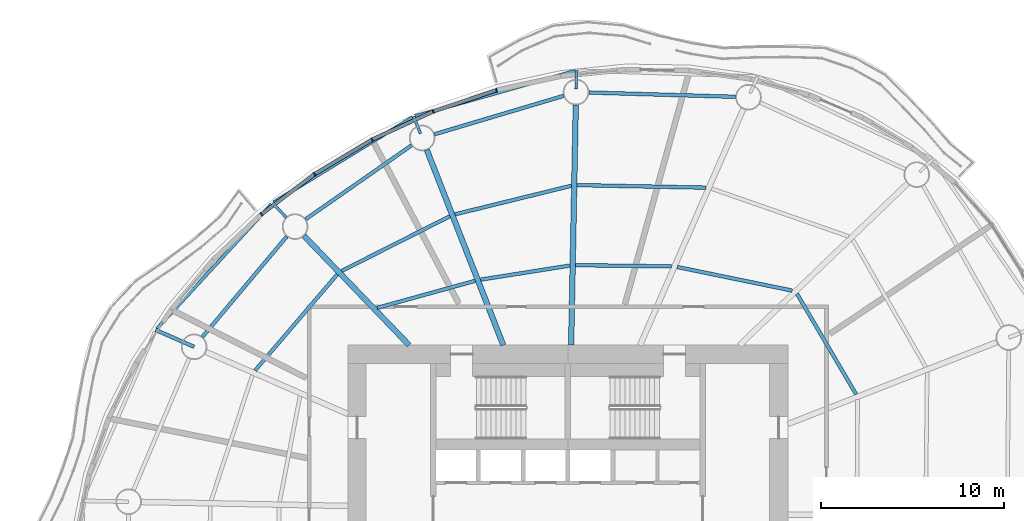
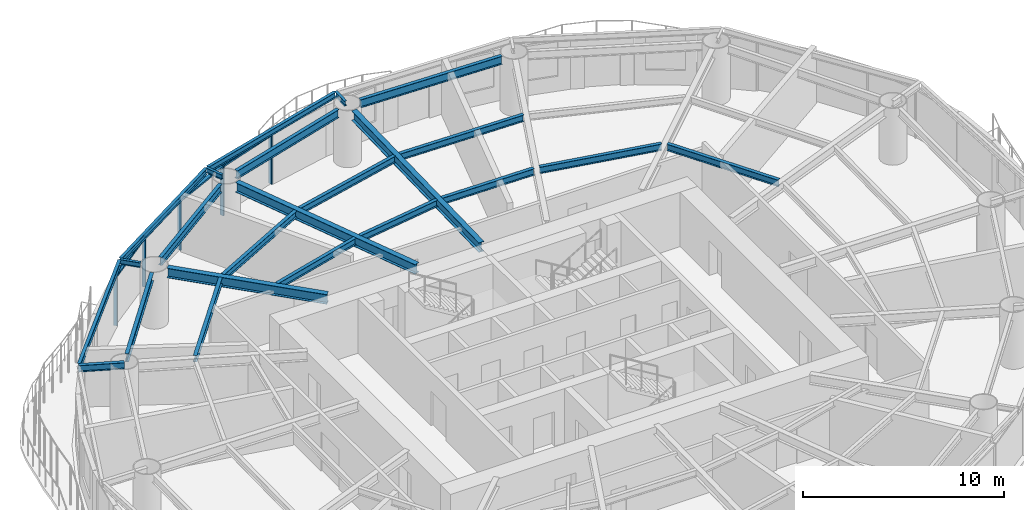
# One storey, part 5 of 16: 23 beams, 9 members, 4 elements without a shape of their own.
"""IFC4 building model written with IfcOpenShell, lengths in metres."""

from ifc_helpers import new_model, si_unit, direction, frame, origin, origin_2d, place, context, subcontext, project, spatial, rectangle, i_section, extrude, material, material_profile, profile_set, type_object, element, aggregate, save


model = new_model("IFC4")

# Units and contexts
model_context = context("Model", 3, precision=1e-05, world=origin(), true_north=direction((0.0, 1.0)))
body_context = subcontext(model_context, "Body", "Model", "MODEL_VIEW")
ifc_project = project(units=[si_unit("LENGTHUNIT", "METRE"), si_unit("AREAUNIT", "SQUARE_METRE"), si_unit("VOLUMEUNIT", "CUBIC_METRE"), si_unit("PLANEANGLEUNIT", "RADIAN"), si_unit("MASSUNIT", "GRAM", prefix="KILO")], contexts=[model_context])

# Site, building, storey
site_placement = place(None, origin())
site = spatial("IfcSite", under=ifc_project, at=site_placement, CompositionType="ELEMENT")
building_placement = place(site_placement, origin())
building = spatial("IfcBuilding", under=site, at=building_placement, Name="Vermilion Reach Broadcast Tower", CompositionType="ELEMENT")
storey_placement = place(building_placement, frame((0.0, 0.0, 147.0)))
storey = spatial("IfcBuildingStorey", under=building, at=storey_placement, Name="L34", CompositionType="ELEMENT", Elevation=147.0)

# Beams
ifc_material_1 = material(Name="Steel S355J2", Category="steel")
ifc_material_profile_1 = material_profile(ifc_material_1, i_section(OverallWidth=0.175048828125, OverallDepth=0.35009765625, WebThickness=0.007080078125, FlangeThickness=0.010986328125, at=origin_2d()), Name="S355J2 HN 350x175x7x11")
ifc_profile_set_1 = profile_set([ifc_material_profile_1], Name="Steel S355J2")
beam_type_1 = type_object("IfcBeamType", Name="EB3 HN 350x175x7x11", PredefinedType="BEAM", material=ifc_profile_set_1)
beam_1_placement = place(storey_placement, frame((-5.61083984375, 23.958984375, 3.27490234375), z_axis=(-0.962287191638, -0.272035587397, 0.0), x_axis=(0.272035587397, -0.962287191638, 0.0)))
element("IfcBeam", 1, at=beam_1_placement, inside=storey, type_object=beam_type_1, Name="Edge beam EB3-03", PredefinedType="BEAM", context=body_context, shape_type="SweptSolid", body=[
    extrude(i_section(OverallWidth=0.175048828125, OverallDepth=0.35009765625, WebThickness=0.007080078125, FlangeThickness=0.010986328125, at=origin_2d()), origin(), (0.0, 0.0, 1.0), 9.06884765625),
])
beam_2_placement = place(storey_placement, frame((-14.47509765625, 21.431640625, 3.27490234375), z_axis=(-0.852668400848, -0.522452484151, 0.0), x_axis=(0.522452484151, -0.852668400848, 0.0)))
element("IfcBeam", 2, at=beam_2_placement, inside=storey, type_object=beam_type_1, Name="Edge beam EB3-04", PredefinedType="BEAM", context=body_context, shape_type="SweptSolid", body=[
    extrude(i_section(OverallWidth=0.175048828125, OverallDepth=0.35009765625, WebThickness=0.007080078125, FlangeThickness=0.010986328125, at=origin_2d()), origin(), (0.0, 0.0, 1.0), 8.88232421875),
])
beam_3_placement = place(storey_placement, frame((-22.1650390625, 16.69580078125, 3.27490234375), z_axis=(-0.677183765071, -0.73581393594, 0.0), x_axis=(0.73581393594, -0.677183765071, 0.0)))
element("IfcBeam", 3, at=beam_3_placement, inside=storey, type_object=beam_type_1, Name="Edge beam EB3-05", PredefinedType="BEAM", context=body_context, shape_type="SweptSolid", body=[
    extrude(i_section(OverallWidth=0.175048828125, OverallDepth=0.35009765625, WebThickness=0.007080078125, FlangeThickness=0.010986328125, at=origin_2d()), origin(), (0.0, 0.0, 1.0), 9.2275390625),
])
ifc_material_2 = material(Name="Steel S355J2", Category="steel")
ifc_material_profile_2 = material_profile(ifc_material_2, i_section(OverallWidth=0.300048828125, OverallDepth=0.587890625, WebThickness=0.011962890625, FlangeThickness=0.02001953125, at=origin_2d()), Name="S355J2 HM 588x300x12x20")
ifc_profile_set_2 = profile_set([ifc_material_profile_2], Name="Steel S355J2")
beam_type_2 = type_object("IfcBeamType", Name="G3 HM 588x300x12x20", PredefinedType="BEAM", material=ifc_profile_set_2)
beam_4_placement = place(storey_placement, frame((-5.82568359375, 9.0, 3.156005859375), z_axis=(0.019378372481, 0.99981222171, 0.0), x_axis=(-0.99981222171, 0.019378372481, 0.0)))
element("IfcBeam", 4, at=beam_4_placement, inside=storey, type_object=beam_type_2, Name="Girder G3-03", PredefinedType="BEAM", context=body_context, shape_type="SweptSolid", body=[
    extrude(i_section(OverallWidth=0.300048828125, OverallDepth=0.587890625, WebThickness=0.011962890625, FlangeThickness=0.02001953125, at=origin_2d()), origin(), (0.0, 0.0, 1.0), 13.1025390625),
])
beam_5_placement = place(storey_placement, frame((-9.525146484375, 9.0, 3.156005859375), z_axis=(-0.364715649973, 0.931118947646, 0.0), x_axis=(-0.931118947646, -0.364715649973, 0.0)))
element("IfcBeam", 5, at=beam_5_placement, inside=storey, type_object=beam_type_2, Name="Girder G3-04", PredefinedType="BEAM", context=body_context, shape_type="SweptSolid", body=[
    extrude(i_section(OverallWidth=0.300048828125, OverallDepth=0.587890625, WebThickness=0.011962890625, FlangeThickness=0.02001953125, at=origin_2d()), origin(), (0.0, 0.0, 1.0), 11.436767578125),
])
beam_6_placement = place(storey_placement, frame((-14.657958984375, 9.0, 3.156005859375), z_axis=(-0.693282657492, 0.72066577331, 0.0), x_axis=(-0.72066577331, -0.693282657492, 0.0)))
element("IfcBeam", 6, at=beam_6_placement, inside=storey, type_object=beam_type_2, Name="Girder G3-05", PredefinedType="BEAM", context=body_context, shape_type="SweptSolid", body=[
    extrude(i_section(OverallWidth=0.300048828125, OverallDepth=0.587890625, WebThickness=0.011962890625, FlangeThickness=0.02001953125, at=origin_2d()), origin(), (0.0, 0.0, 1.0), 8.273681640625),
])
ifc_material_3 = material(Name="Steel S355J2", Category="steel")
ifc_material_profile_3 = material_profile(ifc_material_3, i_section(OverallWidth=0.199951171875, OverallDepth=0.39990234375, WebThickness=0.008056640625, FlangeThickness=0.012939453125, at=origin_2d()), Name="S355J2 HN 400x200x8x13")
ifc_profile_set_3 = profile_set([ifc_material_profile_3], Name="Steel S355J2")
beam_type_3 = type_object("IfcBeamType", Name="GC3 HN 400x200x8x13", PredefinedType="BEAM", material=ifc_profile_set_3)
beam_7_placement = place(storey_placement, frame((-26.38818359375, 8.91162109375, 3.25), z_axis=(-0.916279698293, 0.400539029929, 0.0), x_axis=(-0.400539029929, -0.916279698293, 0.0)))
element("IfcBeam", 7, at=beam_7_placement, inside=storey, type_object=beam_type_3, Name="Cantilever girder GC3-06", PredefinedType="BEAM", context=body_context, shape_type="SweptSolid", body=[
    extrude(i_section(OverallWidth=0.199951171875, OverallDepth=0.39990234375, WebThickness=0.008056640625, FlangeThickness=0.012939453125, at=origin_2d()), origin(), (0.0, 0.0, 1.0), 2.288818359375),
])
ifc_material_4 = material(Name="Steel S355J2", Category="steel")
ifc_material_profile_4 = material_profile(ifc_material_4, i_section(OverallWidth=0.14990234375, OverallDepth=0.300048828125, WebThickness=0.006591796875, FlangeThickness=0.009033203125, at=origin_2d()), Name="S355J2 HN 300x150x6.5x9")
ifc_profile_set_4 = profile_set([ifc_material_profile_4], Name="Steel S355J2")
beam_type_4 = type_object("IfcBeamType", Name="GS3 HN 300x150x6.5x9", PredefinedType="BEAM", material=ifc_profile_set_4)
beam_8_placement = place(storey_placement, frame((-5.5546875, 22.98046875, 3.300048828125), z_axis=(0.019283523045, 0.999814055582, 0.0), x_axis=(-0.999814055582, 0.019283523045, 0.0)))
element("IfcBeam", 8, at=beam_8_placement, inside=storey, type_object=beam_type_4, Name="Cantilever stub GS3-03", PredefinedType="BEAM", context=body_context, shape_type="SweptSolid", body=[
    extrude(i_section(OverallWidth=0.14990234375, OverallDepth=0.300048828125, WebThickness=0.006591796875, FlangeThickness=0.009033203125, at=origin_2d()), origin(), (0.0, 0.0, 1.0), 1.000244140625),
])
beam_9_placement = place(storey_placement, frame((-14.045654296875, 20.540283203125, 3.300048828125), z_axis=(-0.364519020104, 0.931195942851, 0.0), x_axis=(-0.931195942851, -0.364519020104, 0.0)))
element("IfcBeam", 9, at=beam_9_placement, inside=storey, type_object=beam_type_4, Name="Cantilever stub GS3-04", PredefinedType="BEAM", context=body_context, shape_type="SweptSolid", body=[
    extrude(i_section(OverallWidth=0.14990234375, OverallDepth=0.300048828125, WebThickness=0.006591796875, FlangeThickness=0.009033203125, at=origin_2d()), origin(), (0.0, 0.0, 1.0), 1.0),
])
beam_10_placement = place(storey_placement, frame((-21.364501953125, 15.9716796875, 3.300048828125), z_axis=(-0.693316229254, 0.720633475668, 0.0), x_axis=(-0.720633475668, -0.693316229254, 0.0)))
element("IfcBeam", 10, at=beam_10_placement, inside=storey, type_object=beam_type_4, Name="Cantilever stub GS3-05", PredefinedType="BEAM", context=body_context, shape_type="SweptSolid", body=[
    extrude(i_section(OverallWidth=0.14990234375, OverallDepth=0.300048828125, WebThickness=0.006591796875, FlangeThickness=0.009033203125, at=origin_2d()), origin(), (0.0, 0.0, 1.0), 1.081298828125),
])
ifc_material_5 = material(Name="Steel S355J2", Category="steel")
ifc_material_profile_5 = material_profile(ifc_material_5, i_section(OverallWidth=0.199951171875, OverallDepth=0.5, WebThickness=0.010009765625, FlangeThickness=0.01611328125, at=origin_2d()), Name="S355J2 HN 500x200x10x16")
ifc_profile_set_5 = profile_set([ifc_material_profile_5], Name="Steel S355J2")
beam_type_5 = type_object("IfcBeamType", Name="RB3 HN 500x200x10x16", PredefinedType="BEAM", material=ifc_profile_set_5)
beam_11_placement = place(storey_placement, frame((3.1455078125, 22.544677734375, 3.199951171875), z_axis=(-0.999569781146, 0.029330063427, 0.0), x_axis=(-0.029330063427, -0.999569781146, 0.0)))
element("IfcBeam", 11, at=beam_11_placement, inside=storey, type_object=beam_type_5, Name="Ring beam RB3-02", PredefinedType="BEAM", context=body_context, shape_type="SweptSolid", body=[
    extrude(i_section(OverallWidth=0.199951171875, OverallDepth=0.5, WebThickness=0.010009765625, FlangeThickness=0.01611328125, at=origin_2d()), origin(), (0.0, 0.0, 1.0), 8.007568359375),
])
beam_12_placement = place(storey_placement, frame((-6.229248046875, 22.60009765625, 3.199951171875), z_axis=(-0.958416970322, -0.285371531516, 0.0), x_axis=(0.285371531516, -0.958416970322, 0.0)))
element("IfcBeam", 12, at=beam_12_placement, inside=storey, type_object=beam_type_5, Name="Ring beam RB3-03", PredefinedType="BEAM", context=body_context, shape_type="SweptSolid", body=[
    extrude(i_section(OverallWidth=0.199951171875, OverallDepth=0.5, WebThickness=0.010009765625, FlangeThickness=0.01611328125, at=origin_2d()), origin(), (0.0, 0.0, 1.0), 7.357421875),
])
beam_13_placement = place(storey_placement, frame((-14.525634765625, 19.900146484375, 3.199951171875), z_axis=(-0.820111453349, -0.572203813415, 0.0), x_axis=(0.572203813415, -0.820111453349, 0.0)))
element("IfcBeam", 13, at=beam_13_placement, inside=storey, type_object=beam_type_5, Name="Ring beam RB3-04", PredefinedType="BEAM", context=body_context, shape_type="SweptSolid", body=[
    extrude(i_section(OverallWidth=0.199951171875, OverallDepth=0.5, WebThickness=0.010009765625, FlangeThickness=0.01611328125, at=origin_2d()), origin(), (0.0, 0.0, 1.0), 7.04736328125),
])
beam_14_placement = place(storey_placement, frame((-21.32958984375, 14.931396484375, 3.199951171875), z_axis=(-0.643350337931, -0.765571905626, 0.0), x_axis=(0.765571905626, -0.643350337931, 0.0)))
element("IfcBeam", 14, at=beam_14_placement, inside=storey, type_object=beam_type_5, Name="Ring beam RB3-05", PredefinedType="BEAM", context=body_context, shape_type="SweptSolid", body=[
    extrude(i_section(OverallWidth=0.199951171875, OverallDepth=0.5, WebThickness=0.010009765625, FlangeThickness=0.01611328125, at=origin_2d()), origin(), (0.0, 0.0, 1.0), 7.1630859375),
])
ifc_material_6 = material(Name="Steel S355J2", Category="steel")
ifc_material_profile_6 = material_profile(ifc_material_6, i_section(OverallWidth=0.199951171875, OverallDepth=0.39990234375, WebThickness=0.008056640625, FlangeThickness=0.012939453125, at=origin_2d()), Name="S355J2 HN 400x200x8x13")
ifc_profile_set_6 = profile_set([ifc_material_profile_6], Name="Steel S355J2")
beam_type_6 = type_object("IfcBeamType", Name="SB3 HN 400x200x8x13", PredefinedType="BEAM", material=ifc_profile_set_6)
beam_15_placement = place(storey_placement, frame((6.232666015625, 11.975830078125, 3.25), z_axis=(-0.97956765607, 0.201114910391, 0.0), x_axis=(-0.201114910391, -0.97956765607, 0.0)))
element("IfcBeam", 15, at=beam_15_placement, inside=storey, type_object=beam_type_6, Name="Secondary beam SB3-01-1", PredefinedType="BEAM", context=body_context, shape_type="SweptSolid", body=[
    extrude(i_section(OverallWidth=0.199951171875, OverallDepth=0.39990234375, WebThickness=0.008056640625, FlangeThickness=0.012939453125, at=origin_2d()), origin(), (0.0, 0.0, 1.0), 6.40234375),
])
beam_16_placement = place(storey_placement, frame((-0.351806640625, 13.29638671875, 3.25), z_axis=(-0.999914891843, 0.013046419838, 0.0), x_axis=(-0.013046419838, -0.999914891843, 0.0)))
element("IfcBeam", 16, at=beam_16_placement, inside=storey, type_object=beam_type_6, Name="Secondary beam SB3-02-1", PredefinedType="BEAM", context=body_context, shape_type="SweptSolid", body=[
    extrude(i_section(OverallWidth=0.199951171875, OverallDepth=0.39990234375, WebThickness=0.008056640625, FlangeThickness=0.012939453125, at=origin_2d()), origin(), (0.0, 0.0, 1.0), 5.23974609375),
])
beam_17_placement = place(storey_placement, frame((1.525634765625, 17.591552734375, 3.25), z_axis=(-0.999804929321, 0.019751033045, 0.0), x_axis=(-0.019751033045, -0.999804929321, 0.0)))
element("IfcBeam", 17, at=beam_17_placement, inside=storey, type_object=beam_type_6, Name="Secondary beam SB3-02-2", PredefinedType="BEAM", context=body_context, shape_type="SweptSolid", body=[
    extrude(i_section(OverallWidth=0.199951171875, OverallDepth=0.39990234375, WebThickness=0.008056640625, FlangeThickness=0.012939453125, at=origin_2d()), origin(), (0.0, 0.0, 1.0), 7.033447265625),
])
beam_18_placement = place(storey_placement, frame((-5.8916015625, 13.343017578125, 3.25), z_axis=(-0.987756142208, -0.15600578044, 0.0), x_axis=(0.15600578044, -0.987756142208, 0.0)))
element("IfcBeam", 18, at=beam_18_placement, inside=storey, type_object=beam_type_6, Name="Secondary beam SB3-03-1", PredefinedType="BEAM", context=body_context, shape_type="SweptSolid", body=[
    extrude(i_section(OverallWidth=0.199951171875, OverallDepth=0.39990234375, WebThickness=0.008056640625, FlangeThickness=0.012939453125, at=origin_2d()), origin(), (0.0, 0.0, 1.0), 4.9326171875),
])
beam_19_placement = place(storey_placement, frame((-5.80712890625, 17.6962890625, 3.25), z_axis=(-0.971111691931, -0.238625400566, 0.0), x_axis=(0.238625400566, -0.971111691931, 0.0)))
element("IfcBeam", 19, at=beam_19_placement, inside=storey, type_object=beam_type_6, Name="Secondary beam SB3-03-2", PredefinedType="BEAM", context=body_context, shape_type="SweptSolid", body=[
    extrude(i_section(OverallWidth=0.199951171875, OverallDepth=0.39990234375, WebThickness=0.008056640625, FlangeThickness=0.012939453125, at=origin_2d()), origin(), (0.0, 0.0, 1.0), 6.540771484375),
])
beam_20_placement = place(storey_placement, frame((-11.06103515625, 12.509521484375, 3.25), z_axis=(-0.963889790258, -0.266301468708, 0.0), x_axis=(0.266301468708, -0.963889790258, 0.0)))
element("IfcBeam", 20, at=beam_20_placement, inside=storey, type_object=beam_type_6, Name="Secondary beam SB3-04-1", PredefinedType="BEAM", context=body_context, shape_type="SweptSolid", body=[
    extrude(i_section(OverallWidth=0.199951171875, OverallDepth=0.39990234375, WebThickness=0.008056640625, FlangeThickness=0.012939453125, at=origin_2d()), origin(), (0.0, 0.0, 1.0), 5.544677734375),
])
beam_21_placement = place(storey_placement, frame((-12.4404296875, 16.03125, 3.25), z_axis=(-0.892320561657, -0.451402276516, 0.0), x_axis=(0.451402276516, -0.892320561657, 0.0)))
element("IfcBeam", 21, at=beam_21_placement, inside=storey, type_object=beam_type_6, Name="Secondary beam SB3-04-2", PredefinedType="BEAM", context=body_context, shape_type="SweptSolid", body=[
    extrude(i_section(OverallWidth=0.199951171875, OverallDepth=0.39990234375, WebThickness=0.008056640625, FlangeThickness=0.012939453125, at=origin_2d()), origin(), (0.0, 0.0, 1.0), 6.613525390625),
])
beam_22_placement = place(storey_placement, frame((-18.579833984375, 12.860595703125, 3.25), z_axis=(-0.650167134505, -0.759791219487, 0.0), x_axis=(0.759791219487, -0.650167134505, 0.0)))
element("IfcBeam", 22, at=beam_22_placement, inside=storey, type_object=beam_type_6, Name="Secondary beam SB3-05-2", PredefinedType="BEAM", context=body_context, shape_type="SweptSolid", body=[
    extrude(i_section(OverallWidth=0.199951171875, OverallDepth=0.39990234375, WebThickness=0.008056640625, FlangeThickness=0.012939453125, at=origin_2d()), origin(), (0.0, 0.0, 1.0), 6.89501953125),
])
beam_23_placement = place(storey_placement, frame((9.71923828125, 6.318115234375, 3.25), z_axis=(-0.507249643612, 0.861799163991, 0.0), x_axis=(-0.861799163991, -0.507249643612, 0.0)))
element("IfcBeam", 23, at=beam_23_placement, inside=storey, type_object=beam_type_6, Name="Secondary beam SB3-16-1", PredefinedType="BEAM", context=body_context, shape_type="SweptSolid", body=[
    extrude(i_section(OverallWidth=0.199951171875, OverallDepth=0.39990234375, WebThickness=0.008056640625, FlangeThickness=0.012939453125, at=origin_2d()), origin(), (0.0, 0.0, 1.0), 6.3681640625),
])

# Curtain wall, member
ifc_material_7 = material(Name="Low-e laminated clear glass in aluminium frame", Category="aluminium")
curtain_wall_type = type_object("IfcCurtainWallType", Name="Slot curtain wall", PredefinedType="NOTDEFINED", material=ifc_material_7)
placement = place(storey_placement, origin())
curtain_wall_1 = element("IfcCurtainWall", 24, at=placement, inside=storey, type_object=curtain_wall_type, Name="Slot curtain wall L34 10", PredefinedType="NOTDEFINED")
ifc_material_8 = material(Name="Anodised aluminium", Category="aluminium")
ifc_material_profile_7 = material_profile(ifc_material_8, rectangle(XDim=0.199951171875, YDim=0.080078125, at=origin_2d()), Name="Slot mullion 80 x 200")
ifc_profile_set_7 = profile_set([ifc_material_profile_7], Name="Anodised aluminium")
member_type_1 = type_object("IfcMemberType", Name="Slot mullion 80 x 200", PredefinedType="MULLION", material=ifc_profile_set_7)
member_1_placement = place(storey_placement, frame((-9.8984375, 22.906005859375, 0.0), z_axis=(0.0, 0.0, 1.0), x_axis=(0.266212418175, -0.963914388527, 0.0)))
member_1 = element("IfcMember", 25, at=member_1_placement, type_object=member_type_1, Name="Slot mullion L34 10", PredefinedType="MULLION", context=body_context, shape_type="SweptSolid", body=[
    extrude(rectangle(XDim=0.199951171875, YDim=0.080078125, at=origin_2d()), origin(), (0.0, 0.0, 1.0), 3.050048828125),
])

curtain_wall_2 = element("IfcCurtainWall", 26, at=placement, inside=storey, type_object=curtain_wall_type, Name="Slot curtain wall L34 11", PredefinedType="NOTDEFINED")
member_2_placement = place(storey_placement, frame((-13.349609375, 21.745849609375, 0.0), z_axis=(0.0, 0.0, 1.0), x_axis=(0.36932623675, -0.929299806762, 0.0)))
member_2 = element("IfcMember", 27, at=member_2_placement, type_object=member_type_1, Name="Slot mullion L34 11", PredefinedType="MULLION", context=body_context, shape_type="SweptSolid", body=[
    extrude(rectangle(XDim=0.199951171875, YDim=0.080078125, at=origin_2d()), origin(), (0.0, 0.0, 1.0), 3.050048828125),
])

curtain_wall_3 = element("IfcCurtainWall", 28, at=placement, inside=storey, type_object=curtain_wall_type, Name="Slot curtain wall L34 12", PredefinedType="NOTDEFINED")
member_3_placement = place(storey_placement, frame((-16.674560546875, 20.2119140625, 0.0), z_axis=(0.0, 0.0, 1.0), x_axis=(0.467004087106, -0.884255156969, 0.0)))
member_3 = element("IfcMember", 29, at=member_3_placement, type_object=member_type_1, Name="Slot mullion L34 12", PredefinedType="MULLION", context=body_context, shape_type="SweptSolid", body=[
    extrude(rectangle(XDim=0.199951171875, YDim=0.080078125, at=origin_2d()), origin(), (0.0, 0.0, 1.0), 3.050048828125),
])

# Curtain wall, members
curtain_wall_4 = element("IfcCurtainWall", 30, at=placement, inside=storey, type_object=curtain_wall_type, Name="Slot curtain wall L34 13", PredefinedType="NOTDEFINED")
member_4_placement = place(storey_placement, frame((-19.816162109375, 18.33056640625, 0.0), z_axis=(0.0, 0.0, 1.0), x_axis=(0.559278728042, -0.828979676687, 0.0)))
member_4 = element("IfcMember", 31, at=member_4_placement, type_object=member_type_1, Name="Slot mullion L34 13", PredefinedType="MULLION", context=body_context, shape_type="SweptSolid", body=[
    extrude(rectangle(XDim=0.199951171875, YDim=0.080078125, at=origin_2d()), origin(), (0.0, 0.0, 1.0), 3.050048828125),
])
member_5_placement = place(storey_placement, frame((-22.719970703125, 16.134521484375, 0.0), z_axis=(0.0, 0.0, 1.0), x_axis=(0.646004018302, -0.763334008373, 0.0)))
member_5 = element("IfcMember", 32, at=member_5_placement, type_object=member_type_1, Name="Slot mullion L34 14", PredefinedType="MULLION", context=body_context, shape_type="SweptSolid", body=[
    extrude(rectangle(XDim=0.199951171875, YDim=0.080078125, at=origin_2d()), origin(), (0.0, 0.0, 1.0), 3.050048828125),
])

# Member
ifc_material_9 = material(Name="Anodised aluminium", Category="aluminium")
ifc_material_profile_8 = material_profile(ifc_material_9, rectangle(XDim=0.199951171875, YDim=0.10009765625, at=origin_2d()), Name="Slot transom 200 x 100")
ifc_profile_set_8 = profile_set([ifc_material_profile_8], Name="Anodised aluminium")
member_type_2 = type_object("IfcMemberType", Name="Slot transom 200 x 100", PredefinedType="USERDEFINED", material=ifc_profile_set_8)
member_6_placement = place(storey_placement, frame((-9.9365234375, 22.893310546875, 3.0), z_axis=(-0.947857294019, -0.318695073973, 0.0), x_axis=(0.318695073973, -0.947857294019, 0.0)))
member_6 = element("IfcMember", 33, at=member_6_placement, type_object=member_type_2, Name="Slot transom L34 10.1", ObjectType="TRANSOM", PredefinedType="USERDEFINED", context=body_context, shape_type="SweptSolid", body=[
    extrude(rectangle(XDim=0.199951171875, YDim=0.10009765625, at=origin_2d()), origin(), (0.0, 0.0, 1.0), 3.560546875),
])

aggregate(curtain_wall_1, [member_1, member_6])

member_7_placement = place(storey_placement, frame((-13.385986328125, 21.72900390625, 3.0), z_axis=(-0.908015237822, -0.418937140729, 0.0), x_axis=(0.418937140729, -0.908015237822, 0.0)))
member_7 = element("IfcMember", 34, at=member_7_placement, type_object=member_type_2, Name="Slot transom L34 11.1", ObjectType="TRANSOM", PredefinedType="USERDEFINED", context=body_context, shape_type="SweptSolid", body=[
    extrude(rectangle(XDim=0.199951171875, YDim=0.10009765625, at=origin_2d()), origin(), (0.0, 0.0, 1.0), 3.58154296875),
])

aggregate(curtain_wall_2, [member_2, member_7])

member_8_placement = place(storey_placement, frame((-16.708740234375, 20.19140625, 3.0), z_axis=(-0.857919627627, -0.513783916187, 0.0), x_axis=(0.513783916187, -0.857919627627, 0.0)))
member_8 = element("IfcMember", 35, at=member_8_placement, type_object=member_type_2, Name="Slot transom L34 12.1", ObjectType="TRANSOM", PredefinedType="USERDEFINED", context=body_context, shape_type="SweptSolid", body=[
    extrude(rectangle(XDim=0.199951171875, YDim=0.10009765625, at=origin_2d()), origin(), (0.0, 0.0, 1.0), 3.58203125),
])

aggregate(curtain_wall_3, [member_3, member_8])

member_9_placement = place(storey_placement, frame((-19.847900390625, 18.306396484375, 3.0), z_axis=(-0.79764082821, -0.603132745897, 0.0), x_axis=(0.603132745897, -0.79764082821, 0.0)))
member_9 = element("IfcMember", 36, at=member_9_placement, type_object=member_type_2, Name="Slot transom L34 13.1", ObjectType="TRANSOM", PredefinedType="USERDEFINED", context=body_context, shape_type="SweptSolid", body=[
    extrude(rectangle(XDim=0.199951171875, YDim=0.10009765625, at=origin_2d()), origin(), (0.0, 0.0, 1.0), 3.56103515625),
])

aggregate(curtain_wall_4, [member_4, member_5, member_9])

save(model, "model.ifc")
